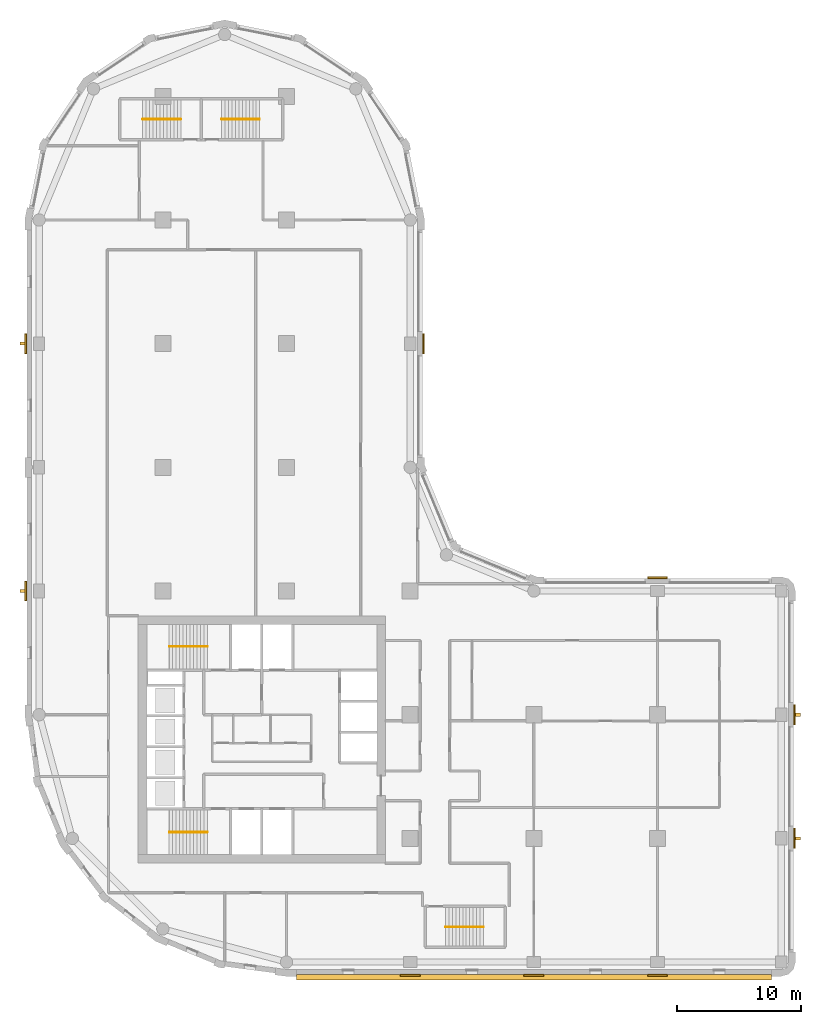
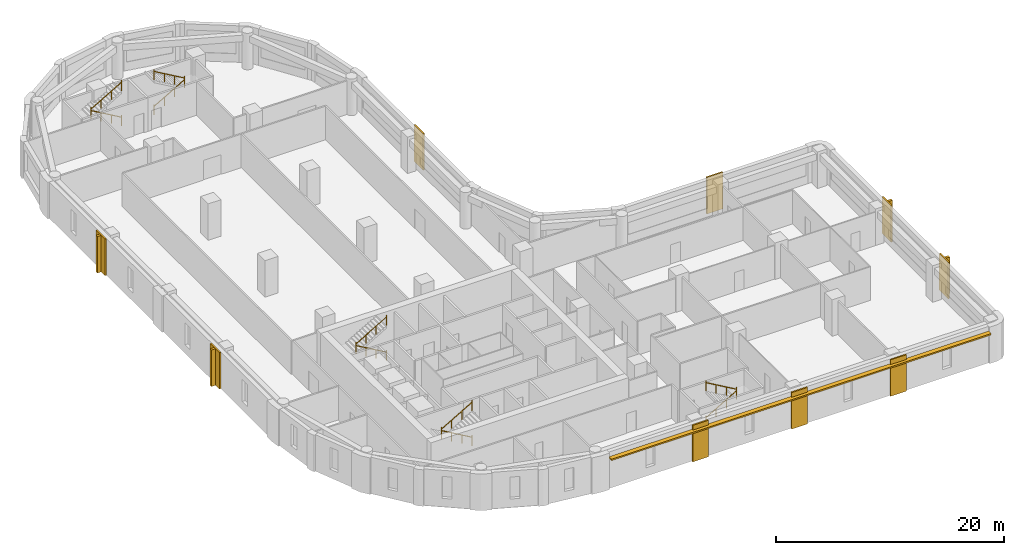
# One storey, part 8 of 9: 10 railings, 9 coverings, 5 shading devices.
"""IFC4 building model written with IfcOpenShell, lengths in metres."""

from ifc_helpers import new_model, si_unit, direction, frame, origin, origin_2d, place, context, subcontext, project, spatial, polyline, rectangle, circle, outline, extrude, material, layer, layer_set, type_object, element, save


model = new_model("IFC4")

# Units and contexts
model_context = context("Model", 3, precision=1e-05, world=origin(), true_north=direction((0.0, 1.0)))
body_context = subcontext(model_context, "Body", "Model", "MODEL_VIEW")
ifc_project = project(units=[si_unit("LENGTHUNIT", "METRE"), si_unit("AREAUNIT", "SQUARE_METRE"), si_unit("VOLUMEUNIT", "CUBIC_METRE"), si_unit("PLANEANGLEUNIT", "RADIAN"), si_unit("MASSUNIT", "GRAM", prefix="KILO")], contexts=[model_context])

# Site, building, storey
site_placement = place(None, origin())
site = spatial("IfcSite", under=ifc_project, at=site_placement, CompositionType="ELEMENT")
building_placement = place(site_placement, origin())
building = spatial("IfcBuilding", under=site, at=building_placement, Name="Qaws Garden Tower", CompositionType="ELEMENT")
storey_placement = place(building_placement, frame((0.0, 0.0, 225.300048828125)))
storey = spatial("IfcBuildingStorey", under=building, at=storey_placement, Name="L55", CompositionType="ELEMENT", Elevation=225.300048828125)

# Coverings
ifc_material_1 = material(Name="Clay facing brick masonry", Category="masonry")
ifc_layer_1 = layer(ifc_material_1, 0.14990234375)
ifc_layer_set_1 = layer_set([ifc_layer_1], Name="Clay facing brick masonry")
covering_type = type_object("IfcCoveringType", Name="Brick pilaster facing 150 x 1600", PredefinedType="CLADDING", material=ifc_layer_set_1)
placement = place(storey_placement, origin())
element("IfcCovering", 1, at=placement, inside=storey, type_object=covering_type, Name="E-L55-pier-01", PredefinedType="CLADDING", context=body_context, shape_type="SweptSolid", body=[
    extrude(outline(polyline([(29.199951171875, -1.0), (30.800048828125, -1.0), (30.800048828125, -1.14990234375), (29.199951171875, -1.14990234375), (29.199951171875, -1.0)])), origin(), (0.0, 0.0, 1.0), 3.89990234375),
])
element("IfcCovering", 2, at=placement, inside=storey, type_object=covering_type, Name="E-L55-pier-02", PredefinedType="CLADDING", context=body_context, shape_type="SweptSolid", body=[
    extrude(outline(polyline([(39.199951171875, -1.0), (40.800048828125, -1.0), (40.800048828125, -1.14990234375), (39.199951171875, -1.14990234375), (39.199951171875, -1.0)])), origin(), (0.0, 0.0, 1.0), 3.89990234375),
])
element("IfcCovering", 3, at=placement, inside=storey, type_object=covering_type, Name="E-L55-pier-03", PredefinedType="CLADDING", context=body_context, shape_type="SweptSolid", body=[
    extrude(outline(polyline([(49.199951171875, -1.0), (50.800048828125, -1.0), (50.800048828125, -1.14990234375), (49.199951171875, -1.14990234375), (49.199951171875, -1.0)])), origin(), (0.0, 0.0, 1.0), 3.89990234375),
])
element("IfcCovering", 4, at=placement, inside=storey, type_object=covering_type, Name="E-L55-pier-05", PredefinedType="CLADDING", context=body_context, shape_type="SweptSolid", body=[
    extrude(outline(polyline([(61.0, 9.199951171875), (61.0, 10.800048828125), (61.14990234375, 10.800048828125), (61.14990234375, 9.199951171875), (61.0, 9.199951171875)])), origin(), (0.0, 0.0, 1.0), 3.89990234375),
])
element("IfcCovering", 5, at=placement, inside=storey, type_object=covering_type, Name="E-L55-pier-06", PredefinedType="CLADDING", context=body_context, shape_type="SweptSolid", body=[
    extrude(outline(polyline([(61.0, 19.199951171875), (61.0, 20.800048828125), (61.14990234375, 20.800048828125), (61.14990234375, 19.199951171875), (61.0, 19.199951171875)])), origin(), (0.0, 0.0, 1.0), 3.89990234375),
])
element("IfcCovering", 6, at=placement, inside=storey, type_object=covering_type, Name="E-L55-pier-08", PredefinedType="CLADDING", context=body_context, shape_type="SweptSolid", body=[
    extrude(outline(polyline([(50.800048828125, 31.0), (49.199951171875, 31.0), (49.199951171875, 31.14990234375), (50.800048828125, 31.14990234375), (50.800048828125, 31.0)])), origin(), (0.0, 0.0, 1.0), 3.89990234375),
])
element("IfcCovering", 7, at=placement, inside=storey, type_object=covering_type, Name="E-L55-pier-12", PredefinedType="CLADDING", context=body_context, shape_type="SweptSolid", body=[
    extrude(outline(polyline([(31.0, 49.199951171875), (31.0, 50.800048828125), (31.14990234375, 50.800048828125), (31.14990234375, 49.199951171875), (31.0, 49.199951171875)])), origin(), (0.0, 0.0, 1.0), 3.89990234375),
])
element("IfcCovering", 8, at=placement, inside=storey, type_object=covering_type, Name="E-L55-pier-22", PredefinedType="CLADDING", context=body_context, shape_type="SweptSolid", body=[
    extrude(outline(polyline([(-1.0, 50.800048828125), (-1.0, 49.199951171875), (-1.14990234375, 49.199951171875), (-1.14990234375, 50.800048828125), (-1.0, 50.800048828125)])), origin(), (0.0, 0.0, 1.0), 3.89990234375),
])
element("IfcCovering", 9, at=placement, inside=storey, type_object=covering_type, Name="E-L55-pier-24", PredefinedType="CLADDING", context=body_context, shape_type="SweptSolid", body=[
    extrude(outline(polyline([(-1.0, 30.800048828125), (-1.0, 29.199951171875), (-1.14990234375, 29.199951171875), (-1.14990234375, 30.800048828125), (-1.0, 30.800048828125)])), origin(), (0.0, 0.0, 1.0), 3.89990234375),
])

# Shading devices
ifc_material_2 = material(Name="Clay facing brick masonry", Category="masonry")
ifc_layer_2 = layer(ifc_material_2, 0.14990234375)
ifc_layer_set_2 = layer_set([ifc_layer_2], Name="Clay facing brick masonry")
shading_device_type_1 = type_object("IfcShadingDeviceType", Name="Brick sunshade band 450 x 150", PredefinedType="JALOUSIE", material=ifc_layer_set_2)
shading_device_placement = place(storey_placement, frame((0.0, 0.0, 3.25)))
element("IfcShadingDevice", 10, at=shading_device_placement, inside=storey, type_object=shading_device_type_1, Name="SUNSHADE 00", PredefinedType="JALOUSIE", context=body_context, shape_type="SweptSolid", body=[
    extrude(outline(polyline([(20.800048828125, -1.0), (20.800048828125, -1.449951171875), (59.199951171875, -1.449951171875), (59.199951171875, -1.0), (50.800048828125, -1.0), (50.800048828125, -1.14990234375), (49.199951171875, -1.14990234375), (49.199951171875, -1.0), (40.800048828125, -1.0), (40.800048828125, -1.14990234375), (39.199951171875, -1.14990234375), (39.199951171875, -1.0), (30.800048828125, -1.0), (30.800048828125, -1.14990234375), (29.199951171875, -1.14990234375), (29.199951171875, -1.0), (20.800048828125, -1.0)])), origin(), (0.0, 0.0, 1.0), 0.14990234375),
])
ifc_material_3 = material(Name="Clay facing brick masonry", Category="masonry")
ifc_layer_3 = layer(ifc_material_3, 0.25)
ifc_layer_set_3 = layer_set([ifc_layer_3], Name="Clay facing brick masonry")
shading_device_type_2 = type_object("IfcShadingDeviceType", Name="Brick-faced fin 250 x 400", PredefinedType="USERDEFINED", material=ifc_layer_set_3)
for number, where, z_axis, x_axis, name in (
    (11, (61.35009765625, 10.0, 0.0), (0.0, 0.0, 1.0), (0.0, 1.0, 0.0), "FIN 05"),
    (12, (61.35009765625, 20.0, 0.0), (0.0, 0.0, 1.0), (0.0, 1.0, 0.0), "FIN 06"),
    (13, (-1.35009765625, 50.0, 0.0), (0.0, 0.0, 1.0), (0.0, -1.0, 0.0), "FIN 22"),
    (14, (-1.35009765625, 30.0, 0.0), (0.0, 0.0, 1.0), (0.0, -1.0, 0.0), "FIN 24"),
):
    element("IfcShadingDevice", number, at=place(storey_placement, frame(where, z_axis=z_axis, x_axis=x_axis)), inside=storey, type_object=shading_device_type_2, Name=name, ObjectType="FIN", PredefinedType="USERDEFINED", context=body_context, shape_type="SweptSolid", body=[
        extrude(rectangle(XDim=0.25, YDim=0.39990234375, at=origin_2d()), origin(), (0.0, 0.0, 1.0), 3.89990234375),
    ])

# Railings
ifc_material_4 = material(Name="Steel S355", Category="steel")
railing_type = type_object("IfcRailingType", Name="Stair handrail 900", PredefinedType="HANDRAIL", material=ifc_material_4)
railing_1_placement = place(storey_placement, frame((13.60009765625, 10.5, 0.162353515625)))
element("IfcRailing", 15, at=railing_1_placement, inside=storey, type_object=railing_type, Name="Stair 1 handrail", PredefinedType="HANDRAIL", context=body_context, shape_type="SweptSolid", body=[
    extrude(circle(Radius=0.02392578125, at=origin_2d()), frame((0.0, 0.0, 0.8759765625), z_axis=(-0.864890721111, 0.0, 0.501960198159), x_axis=(0.0, -1.0, 0.0)), (0.0, 0.0, 1.0), 3.561279296875),
    extrude(circle(Radius=0.02099609375, at=origin_2d()), origin(), (0.0, 0.0, 1.0), 1.06201171875),
    extrude(circle(Radius=0.02099609375, at=origin_2d()), frame((-1.026611328125, 0.0, 0.595947265625)), (0.0, 0.0, 1.0), 0.851806640625),
    extrude(circle(Radius=0.02099609375, at=origin_2d()), frame((-2.053466796875, 0.0, 1.191650390625)), (0.0, 0.0, 1.0), 0.851806640625),
    extrude(circle(Radius=0.02099609375, at=origin_2d()), frame((-3.080078125, 0.0, 1.78759765625)), (0.0, 0.0, 1.0), 1.06201171875),
])
railing_2_placement = place(storey_placement, frame((10.52001953125, 10.5, 2.112548828125)))
element("IfcRailing", 16, at=railing_2_placement, inside=storey, type_object=railing_type, Name="Stair 1 handrail", PredefinedType="HANDRAIL", context=body_context, shape_type="SweptSolid", body=[
    extrude(circle(Radius=0.02392578125, at=origin_2d()), frame((0.0, 0.0, 0.8759765625), z_axis=(0.864920483161, 0.0, 0.501908913857), x_axis=(0.0, 1.0, 0.0)), (0.0, 0.0, 1.0), 3.56103515625),
    extrude(circle(Radius=0.02099609375, at=origin_2d()), origin(), (0.0, 0.0, 1.0), 1.06201171875),
    extrude(circle(Radius=0.02099609375, at=origin_2d()), frame((1.026611328125, 0.0, 0.595703125)), (0.0, 0.0, 1.0), 0.851806640625),
    extrude(circle(Radius=0.02099609375, at=origin_2d()), frame((2.053466796875, 0.0, 1.191650390625)), (0.0, 0.0, 1.0), 0.851806640625),
    extrude(circle(Radius=0.02099609375, at=origin_2d()), frame((3.080078125, 0.0, 1.787353515625)), (0.0, 0.0, 1.0), 1.06201171875),
])
railing_3_placement = place(storey_placement, frame((13.60009765625, 25.5, 0.162353515625)))
element("IfcRailing", 17, at=railing_3_placement, inside=storey, type_object=railing_type, Name="Stair 4 handrail", PredefinedType="HANDRAIL", context=body_context, shape_type="SweptSolid", body=[
    extrude(circle(Radius=0.02392578125, at=origin_2d()), frame((0.0, 0.0, 0.8759765625), z_axis=(-0.864890721111, 0.0, 0.501960198159), x_axis=(0.0, -1.0, 0.0)), (0.0, 0.0, 1.0), 3.561279296875),
    extrude(circle(Radius=0.02099609375, at=origin_2d()), origin(), (0.0, 0.0, 1.0), 1.06201171875),
    extrude(circle(Radius=0.02099609375, at=origin_2d()), frame((-1.026611328125, 0.0, 0.595947265625)), (0.0, 0.0, 1.0), 0.851806640625),
    extrude(circle(Radius=0.02099609375, at=origin_2d()), frame((-2.053466796875, 0.0, 1.191650390625)), (0.0, 0.0, 1.0), 0.851806640625),
    extrude(circle(Radius=0.02099609375, at=origin_2d()), frame((-3.080078125, 0.0, 1.78759765625)), (0.0, 0.0, 1.0), 1.06201171875),
])
railing_4_placement = place(storey_placement, frame((10.52001953125, 25.5, 2.112548828125)))
element("IfcRailing", 18, at=railing_4_placement, inside=storey, type_object=railing_type, Name="Stair 4 handrail", PredefinedType="HANDRAIL", context=body_context, shape_type="SweptSolid", body=[
    extrude(circle(Radius=0.02392578125, at=origin_2d()), frame((0.0, 0.0, 0.8759765625), z_axis=(0.864920483161, 0.0, 0.501908913857), x_axis=(0.0, 1.0, 0.0)), (0.0, 0.0, 1.0), 3.56103515625),
    extrude(circle(Radius=0.02099609375, at=origin_2d()), origin(), (0.0, 0.0, 1.0), 1.06201171875),
    extrude(circle(Radius=0.02099609375, at=origin_2d()), frame((1.026611328125, 0.0, 0.595703125)), (0.0, 0.0, 1.0), 0.851806640625),
    extrude(circle(Radius=0.02099609375, at=origin_2d()), frame((2.053466796875, 0.0, 1.191650390625)), (0.0, 0.0, 1.0), 0.851806640625),
    extrude(circle(Radius=0.02099609375, at=origin_2d()), frame((3.080078125, 0.0, 1.787353515625)), (0.0, 0.0, 1.0), 1.06201171875),
])
railing_5_placement = place(storey_placement, frame((32.85009765625, 2.85009765625, 0.162353515625)))
element("IfcRailing", 19, at=railing_5_placement, inside=storey, type_object=railing_type, Name="Stair 5 handrail", PredefinedType="HANDRAIL", context=body_context, shape_type="SweptSolid", body=[
    extrude(circle(Radius=0.02392578125, at=origin_2d()), frame((0.0, 0.0, 0.8759765625), z_axis=(0.864873446163, 0.0, 0.501989962173), x_axis=(0.0, 1.0, 0.0)), (0.0, 0.0, 1.0), 3.56103515625),
    extrude(circle(Radius=0.02099609375, at=origin_2d()), origin(), (0.0, 0.0, 1.0), 1.06201171875),
    extrude(circle(Radius=0.02099609375, at=origin_2d()), frame((1.026611328125, 0.0, 0.595947265625)), (0.0, 0.0, 1.0), 0.851806640625),
    extrude(circle(Radius=0.02099609375, at=origin_2d()), frame((2.05322265625, 0.0, 1.191650390625)), (0.0, 0.0, 1.0), 0.851806640625),
    extrude(circle(Radius=0.02099609375, at=origin_2d()), frame((3.079833984375, 0.0, 1.78759765625)), (0.0, 0.0, 1.0), 1.06201171875),
])
railing_6_placement = place(storey_placement, frame((35.929931640625, 2.85009765625, 2.112548828125)))
element("IfcRailing", 20, at=railing_6_placement, inside=storey, type_object=railing_type, Name="Stair 5 handrail", PredefinedType="HANDRAIL", context=body_context, shape_type="SweptSolid", body=[
    extrude(circle(Radius=0.02392578125, at=origin_2d()), frame((0.0, 0.0, 0.8759765625), z_axis=(-0.864903211148, 0.0, 0.501938676878), x_axis=(0.0, -1.0, 0.0)), (0.0, 0.0, 1.0), 3.560791015625),
    extrude(circle(Radius=0.02099609375, at=origin_2d()), origin(), (0.0, 0.0, 1.0), 1.06201171875),
    extrude(circle(Radius=0.02099609375, at=origin_2d()), frame((-1.026611328125, 0.0, 0.595703125)), (0.0, 0.0, 1.0), 0.851806640625),
    extrude(circle(Radius=0.02099609375, at=origin_2d()), frame((-2.05322265625, 0.0, 1.191650390625)), (0.0, 0.0, 1.0), 0.851806640625),
    extrude(circle(Radius=0.02099609375, at=origin_2d()), frame((-3.079833984375, 0.0, 1.787353515625)), (0.0, 0.0, 1.0), 1.06201171875),
])
railing_7_placement = place(storey_placement, frame((11.449951171875, 68.14990234375, 0.162353515625)))
element("IfcRailing", 21, at=railing_7_placement, inside=storey, type_object=railing_type, Name="Stair 6 handrail", PredefinedType="HANDRAIL", context=body_context, shape_type="SweptSolid", body=[
    extrude(circle(Radius=0.02392578125, at=origin_2d()), frame((0.0, 0.0, 0.8759765625), z_axis=(-0.864873446163, 0.0, 0.501989962173), x_axis=(0.0, -1.0, 0.0)), (0.0, 0.0, 1.0), 3.56103515625),
    extrude(circle(Radius=0.02099609375, at=origin_2d()), origin(), (0.0, 0.0, 1.0), 1.06201171875),
    extrude(circle(Radius=0.02099609375, at=origin_2d()), frame((-1.026611328125, 0.0, 0.595947265625)), (0.0, 0.0, 1.0), 0.851806640625),
    extrude(circle(Radius=0.02099609375, at=origin_2d()), frame((-2.05322265625, 0.0, 1.191650390625)), (0.0, 0.0, 1.0), 0.851806640625),
    extrude(circle(Radius=0.02099609375, at=origin_2d()), frame((-3.079833984375, 0.0, 1.78759765625)), (0.0, 0.0, 1.0), 1.06201171875),
])
railing_8_placement = place(storey_placement, frame((8.3701171875, 68.14990234375, 2.112548828125)))
element("IfcRailing", 22, at=railing_8_placement, inside=storey, type_object=railing_type, Name="Stair 6 handrail", PredefinedType="HANDRAIL", context=body_context, shape_type="SweptSolid", body=[
    extrude(circle(Radius=0.02392578125, at=origin_2d()), frame((0.0, 0.0, 0.8759765625), z_axis=(0.864903211148, 0.0, 0.501938676878), x_axis=(0.0, 1.0, 0.0)), (0.0, 0.0, 1.0), 3.560791015625),
    extrude(circle(Radius=0.02099609375, at=origin_2d()), origin(), (0.0, 0.0, 1.0), 1.06201171875),
    extrude(circle(Radius=0.02099609375, at=origin_2d()), frame((1.026611328125, 0.0, 0.595703125)), (0.0, 0.0, 1.0), 0.851806640625),
    extrude(circle(Radius=0.02099609375, at=origin_2d()), frame((2.05322265625, 0.0, 1.191650390625)), (0.0, 0.0, 1.0), 0.851806640625),
    extrude(circle(Radius=0.02099609375, at=origin_2d()), frame((3.079833984375, 0.0, 1.787353515625)), (0.0, 0.0, 1.0), 1.06201171875),
])
railing_9_placement = place(storey_placement, frame((14.75, 68.14990234375, 0.162353515625)))
element("IfcRailing", 23, at=railing_9_placement, inside=storey, type_object=railing_type, Name="Stair 7 handrail", PredefinedType="HANDRAIL", context=body_context, shape_type="SweptSolid", body=[
    extrude(circle(Radius=0.02392578125, at=origin_2d()), frame((0.0, 0.0, 0.8759765625), z_axis=(0.864890721111, 0.0, 0.501960198159), x_axis=(0.0, 1.0, 0.0)), (0.0, 0.0, 1.0), 3.561279296875),
    extrude(circle(Radius=0.02099609375, at=origin_2d()), origin(), (0.0, 0.0, 1.0), 1.06201171875),
    extrude(circle(Radius=0.02099609375, at=origin_2d()), frame((1.026611328125, 0.0, 0.595947265625)), (0.0, 0.0, 1.0), 0.851806640625),
    extrude(circle(Radius=0.02099609375, at=origin_2d()), frame((2.053466796875, 0.0, 1.191650390625)), (0.0, 0.0, 1.0), 0.851806640625),
    extrude(circle(Radius=0.02099609375, at=origin_2d()), frame((3.080078125, 0.0, 1.78759765625)), (0.0, 0.0, 1.0), 1.06201171875),
])
railing_10_placement = place(storey_placement, frame((17.830078125, 68.14990234375, 2.112548828125)))
element("IfcRailing", 24, at=railing_10_placement, inside=storey, type_object=railing_type, Name="Stair 7 handrail", PredefinedType="HANDRAIL", context=body_context, shape_type="SweptSolid", body=[
    extrude(circle(Radius=0.02392578125, at=origin_2d()), frame((0.0, 0.0, 0.8759765625), z_axis=(-0.864920483161, 0.0, 0.501908913857), x_axis=(0.0, -1.0, 0.0)), (0.0, 0.0, 1.0), 3.56103515625),
    extrude(circle(Radius=0.02099609375, at=origin_2d()), origin(), (0.0, 0.0, 1.0), 1.06201171875),
    extrude(circle(Radius=0.02099609375, at=origin_2d()), frame((-1.026611328125, 0.0, 0.595703125)), (0.0, 0.0, 1.0), 0.851806640625),
    extrude(circle(Radius=0.02099609375, at=origin_2d()), frame((-2.053466796875, 0.0, 1.191650390625)), (0.0, 0.0, 1.0), 0.851806640625),
    extrude(circle(Radius=0.02099609375, at=origin_2d()), frame((-3.080078125, 0.0, 1.787353515625)), (0.0, 0.0, 1.0), 1.06201171875),
])

save(model, "model.ifc")
